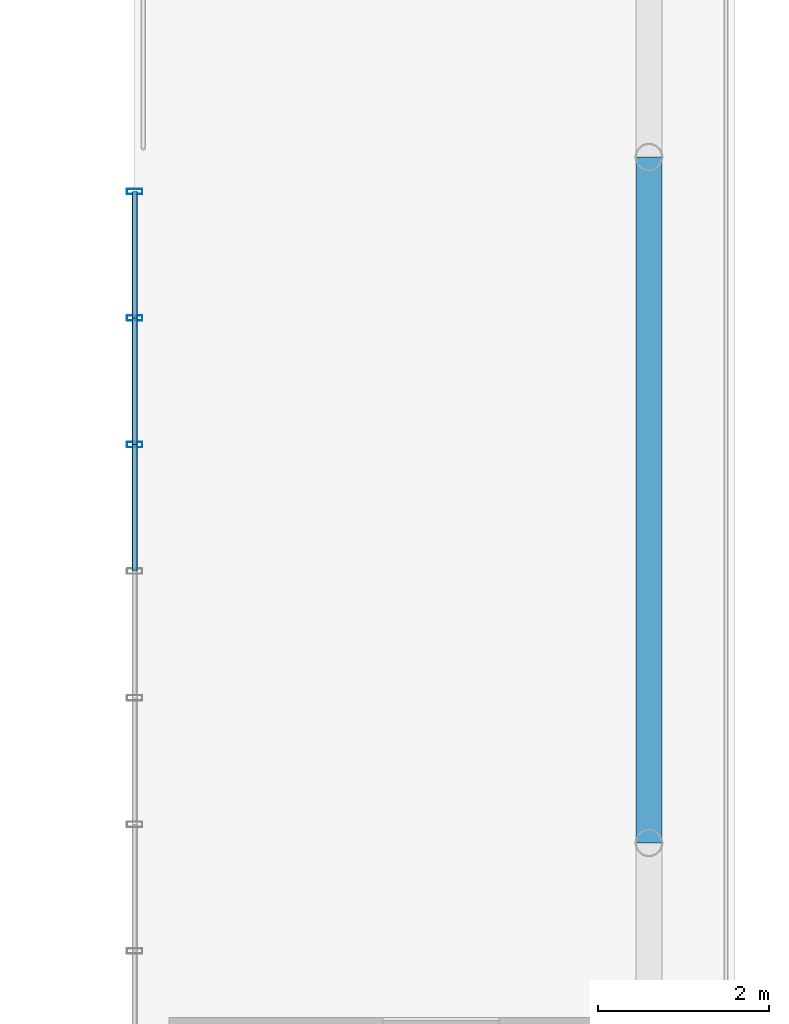
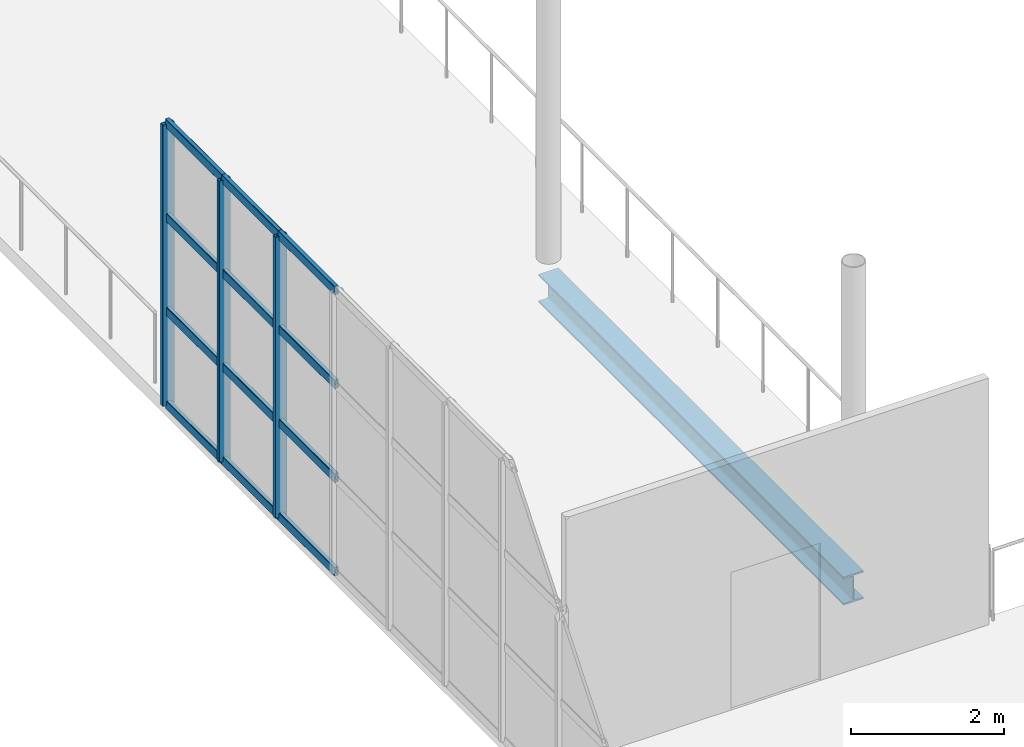
# One storey, part 69 of 143: 15 members, 1 beam, 1 element without a shape of its own.
"""IFC4 building model written with IfcOpenShell, lengths in metres."""

from ifc_helpers import new_model, si_unit, derived_unit, direction, frame, origin, origin_2d, place, context, subcontext, project, spatial, hollow_rectangle, i_section, extrude, material, material_profile, profile_set, type_object, element, aggregate, save


model = new_model("IFC4")

# Units and contexts
model_context = context("Model", 3, precision=1e-05, world=origin(), true_north=direction((0.0, 1.0)))
body_context = subcontext(model_context, "Body", "Model", "MODEL_VIEW")
ifc_project = project(units=[si_unit("LENGTHUNIT", "METRE"), si_unit("AREAUNIT", "SQUARE_METRE"), si_unit("VOLUMEUNIT", "CUBIC_METRE"), si_unit("PLANEANGLEUNIT", "RADIAN"), si_unit("MASSUNIT", "GRAM", prefix="KILO"), derived_unit("THERMALTRANSMITTANCEUNIT", [(si_unit("POWERUNIT", "WATT"), 1), (si_unit("LENGTHUNIT", "METRE"), -2), (si_unit("THERMODYNAMICTEMPERATUREUNIT", "KELVIN"), -1)])], contexts=[model_context])

# Site, building, storey
site_placement = place(None, origin())
site = spatial("IfcSite", under=ifc_project, at=site_placement, CompositionType="ELEMENT")
building_placement = place(site_placement, origin())
building = spatial("IfcBuilding", under=site, at=building_placement, Name="Keldorne Ridge Multi-Sports Centre", CompositionType="ELEMENT")
storey_placement = place(building_placement, frame((0.0, 0.0, 4.800048828125)))
storey = spatial("IfcBuildingStorey", under=building, at=storey_placement, Name="L01", CompositionType="ELEMENT", Elevation=4.800048828125)

# Beam
ifc_material_1 = material(Name="Steel S355", Category="steel")
ifc_material_profile_1 = material_profile(ifc_material_1, i_section(OverallWidth=0.300048828125, OverallDepth=0.449951171875, WebThickness=0.013916015625, FlangeThickness=0.02587890625, FilletRadius=0.027099609375, at=origin_2d()), Name="HEB 450")
ifc_profile_set_1 = profile_set([ifc_material_profile_1], Name="Steel S355")
beam_type = type_object("IfcBeamType", Name="BM-B-11", PredefinedType="BEAM", material=ifc_profile_set_1)
beam_placement = place(storey_placement, frame((84.0, 66.0, -0.445068359375), z_axis=(0.0, 1.0, 0.0), x_axis=(-1.0, 0.0, 0.0)))
element("IfcBeam", 1, at=beam_placement, inside=storey, type_object=beam_type, Name="L01 passage girder G12.8", PredefinedType="BEAM", context=body_context, shape_type="SweptSolid", body=[
    extrude(i_section(OverallWidth=0.300048828125, OverallDepth=0.449951171875, WebThickness=0.013916015625, FlangeThickness=0.02587890625, FilletRadius=0.027099609375, at=origin_2d()), origin(), (0.0, 0.0, 1.0), 8.0),
])

# Curtain wall, members
ifc_material_2 = material(Name="Anodized aluminium", Category="aluminium")
curtain_wall_type = type_object("IfcCurtainWallType", Name="CW-CW-04", PredefinedType="NOTDEFINED", material=ifc_material_2)
curtain_wall_placement = place(storey_placement, origin())
curtain_wall = element("IfcCurtainWall", 2, at=curtain_wall_placement, inside=storey, type_object=curtain_wall_type, Name="Passage west courtyard curtain wall L01 084", PredefinedType="NOTDEFINED")
ifc_material_profile_2 = material_profile(ifc_material_2, hollow_rectangle(XDim=0.06494140625, YDim=0.179931640625, WallThickness=0.00439453125, InnerFilletRadius=0.00439453125, OuterFilletRadius=0.009033203125, at=origin_2d()), Name="ALU MULLION 180x65x4.5")
ifc_profile_set_2 = profile_set([ifc_material_profile_2], Name="Anodized aluminium")
member_type_1 = type_object("IfcMemberType", Name="MEM-ML-01", PredefinedType="MULLION", material=ifc_profile_set_2)
member_1_placement = place(storey_placement, frame((78.0, 73.60009765625, 0.0), z_axis=(0.0, 0.0, 1.0), x_axis=(0.0, 1.0, 0.0)))
member_1 = element("IfcMember", 3, at=member_1_placement, type_object=member_type_1, Name="CW-084 vertical mullion 1", PredefinedType="MULLION", context=body_context, shape_type="SweptSolid", body=[
    extrude(hollow_rectangle(XDim=0.06494140625, YDim=0.179931640625, WallThickness=0.00439453125, InnerFilletRadius=0.00439453125, OuterFilletRadius=0.009033203125, at=origin_2d()), origin(), (0.0, 0.0, 1.0), 4.5),
])
member_2_placement = place(storey_placement, frame((78.0, 72.123046875, 0.0), z_axis=(0.0, 0.0, 1.0), x_axis=(0.0, 1.0, 0.0)))
member_2 = element("IfcMember", 4, at=member_2_placement, type_object=member_type_1, Name="CW-084 vertical mullion 2", PredefinedType="MULLION", context=body_context, shape_type="SweptSolid", body=[
    extrude(hollow_rectangle(XDim=0.06494140625, YDim=0.179931640625, WallThickness=0.00439453125, InnerFilletRadius=0.00439453125, OuterFilletRadius=0.009033203125, at=origin_2d()), origin(), (0.0, 0.0, 1.0), 4.5),
])
member_3_placement = place(storey_placement, frame((78.0, 70.646240234375, 0.0), z_axis=(0.0, 0.0, 1.0), x_axis=(0.0, 1.0, 0.0)))
member_3 = element("IfcMember", 5, at=member_3_placement, type_object=member_type_1, Name="CW-084 vertical mullion 3", PredefinedType="MULLION", context=body_context, shape_type="SweptSolid", body=[
    extrude(hollow_rectangle(XDim=0.06494140625, YDim=0.179931640625, WallThickness=0.00439453125, InnerFilletRadius=0.00439453125, OuterFilletRadius=0.009033203125, at=origin_2d()), origin(), (0.0, 0.0, 1.0), 4.5),
])
ifc_material_profile_3 = material_profile(ifc_material_2, hollow_rectangle(XDim=0.06494140625, YDim=0.139892578125, WallThickness=0.00439453125, InnerFilletRadius=0.00439453125, OuterFilletRadius=0.009033203125, at=origin_2d()), Name="ALU TRANSOM 140x65x4.5")
ifc_profile_set_3 = profile_set([ifc_material_profile_3], Name="Anodized aluminium")
member_type_2 = type_object("IfcMemberType", Name="MEM-TR-01", PredefinedType="USERDEFINED", material=ifc_profile_set_3)
member_4_placement = place(storey_placement, frame((78.0, 73.60009765625, 0.0), z_axis=(0.0, -1.0, 0.0), x_axis=(1.0, 0.0, 0.0)))
member_4 = element("IfcMember", 6, at=member_4_placement, type_object=member_type_2, Name="CW-084 transom 1.1", ObjectType="TRANSOM", PredefinedType="USERDEFINED", context=body_context, shape_type="SweptSolid", body=[
    extrude(hollow_rectangle(XDim=0.06494140625, YDim=0.139892578125, WallThickness=0.00439453125, InnerFilletRadius=0.00439453125, OuterFilletRadius=0.009033203125, at=origin_2d()), origin(), (0.0, 0.0, 1.0), 1.47705078125),
])
member_5_placement = place(storey_placement, frame((78.0, 73.60009765625, 1.5), z_axis=(0.0, -1.0, 0.0), x_axis=(1.0, 0.0, 0.0)))
member_5 = element("IfcMember", 7, at=member_5_placement, type_object=member_type_2, Name="CW-084 transom 1.2", ObjectType="TRANSOM", PredefinedType="USERDEFINED", context=body_context, shape_type="SweptSolid", body=[
    extrude(hollow_rectangle(XDim=0.06494140625, YDim=0.139892578125, WallThickness=0.00439453125, InnerFilletRadius=0.00439453125, OuterFilletRadius=0.009033203125, at=origin_2d()), origin(), (0.0, 0.0, 1.0), 1.47705078125),
])
member_6_placement = place(storey_placement, frame((78.0, 73.60009765625, 3.0), z_axis=(0.0, -1.0, 0.0), x_axis=(1.0, 0.0, 0.0)))
member_6 = element("IfcMember", 8, at=member_6_placement, type_object=member_type_2, Name="CW-084 transom 1.3", ObjectType="TRANSOM", PredefinedType="USERDEFINED", context=body_context, shape_type="SweptSolid", body=[
    extrude(hollow_rectangle(XDim=0.06494140625, YDim=0.139892578125, WallThickness=0.00439453125, InnerFilletRadius=0.00439453125, OuterFilletRadius=0.009033203125, at=origin_2d()), origin(), (0.0, 0.0, 1.0), 1.47705078125),
])
member_7_placement = place(storey_placement, frame((78.0, 73.60009765625, 4.5), z_axis=(0.0, -1.0, 0.0), x_axis=(1.0, 0.0, 0.0)))
member_7 = element("IfcMember", 9, at=member_7_placement, type_object=member_type_2, Name="CW-084 transom 1.4", ObjectType="TRANSOM", PredefinedType="USERDEFINED", context=body_context, shape_type="SweptSolid", body=[
    extrude(hollow_rectangle(XDim=0.06494140625, YDim=0.139892578125, WallThickness=0.00439453125, InnerFilletRadius=0.00439453125, OuterFilletRadius=0.009033203125, at=origin_2d()), origin(), (0.0, 0.0, 1.0), 1.47705078125),
])
member_8_placement = place(storey_placement, frame((78.0, 72.123046875, 0.0), z_axis=(0.0, -1.0, 0.0), x_axis=(1.0, 0.0, 0.0)))
member_8 = element("IfcMember", 10, at=member_8_placement, type_object=member_type_2, Name="CW-084 transom 2.1", ObjectType="TRANSOM", PredefinedType="USERDEFINED", context=body_context, shape_type="SweptSolid", body=[
    extrude(hollow_rectangle(XDim=0.06494140625, YDim=0.139892578125, WallThickness=0.00439453125, InnerFilletRadius=0.00439453125, OuterFilletRadius=0.009033203125, at=origin_2d()), origin(), (0.0, 0.0, 1.0), 1.476806640625),
])
member_9_placement = place(storey_placement, frame((78.0, 72.123046875, 1.5), z_axis=(0.0, -1.0, 0.0), x_axis=(1.0, 0.0, 0.0)))
member_9 = element("IfcMember", 11, at=member_9_placement, type_object=member_type_2, Name="CW-084 transom 2.2", ObjectType="TRANSOM", PredefinedType="USERDEFINED", context=body_context, shape_type="SweptSolid", body=[
    extrude(hollow_rectangle(XDim=0.06494140625, YDim=0.139892578125, WallThickness=0.00439453125, InnerFilletRadius=0.00439453125, OuterFilletRadius=0.009033203125, at=origin_2d()), origin(), (0.0, 0.0, 1.0), 1.476806640625),
])
member_10_placement = place(storey_placement, frame((78.0, 72.123046875, 3.0), z_axis=(0.0, -1.0, 0.0), x_axis=(1.0, 0.0, 0.0)))
member_10 = element("IfcMember", 12, at=member_10_placement, type_object=member_type_2, Name="CW-084 transom 2.3", ObjectType="TRANSOM", PredefinedType="USERDEFINED", context=body_context, shape_type="SweptSolid", body=[
    extrude(hollow_rectangle(XDim=0.06494140625, YDim=0.139892578125, WallThickness=0.00439453125, InnerFilletRadius=0.00439453125, OuterFilletRadius=0.009033203125, at=origin_2d()), origin(), (0.0, 0.0, 1.0), 1.476806640625),
])
member_11_placement = place(storey_placement, frame((78.0, 72.123046875, 4.5), z_axis=(0.0, -1.0, 0.0), x_axis=(1.0, 0.0, 0.0)))
member_11 = element("IfcMember", 13, at=member_11_placement, type_object=member_type_2, Name="CW-084 transom 2.4", ObjectType="TRANSOM", PredefinedType="USERDEFINED", context=body_context, shape_type="SweptSolid", body=[
    extrude(hollow_rectangle(XDim=0.06494140625, YDim=0.139892578125, WallThickness=0.00439453125, InnerFilletRadius=0.00439453125, OuterFilletRadius=0.009033203125, at=origin_2d()), origin(), (0.0, 0.0, 1.0), 1.476806640625),
])
member_12_placement = place(storey_placement, frame((78.0, 70.646240234375, 0.0), z_axis=(0.0, -1.0, 0.0), x_axis=(1.0, 0.0, 0.0)))
member_12 = element("IfcMember", 14, at=member_12_placement, type_object=member_type_2, Name="CW-084 transom 3.1", ObjectType="TRANSOM", PredefinedType="USERDEFINED", context=body_context, shape_type="SweptSolid", body=[
    extrude(hollow_rectangle(XDim=0.06494140625, YDim=0.139892578125, WallThickness=0.00439453125, InnerFilletRadius=0.00439453125, OuterFilletRadius=0.009033203125, at=origin_2d()), origin(), (0.0, 0.0, 1.0), 1.47705078125),
])
member_13_placement = place(storey_placement, frame((78.0, 70.646240234375, 1.5), z_axis=(0.0, -1.0, 0.0), x_axis=(1.0, 0.0, 0.0)))
member_13 = element("IfcMember", 15, at=member_13_placement, type_object=member_type_2, Name="CW-084 transom 3.2", ObjectType="TRANSOM", PredefinedType="USERDEFINED", context=body_context, shape_type="SweptSolid", body=[
    extrude(hollow_rectangle(XDim=0.06494140625, YDim=0.139892578125, WallThickness=0.00439453125, InnerFilletRadius=0.00439453125, OuterFilletRadius=0.009033203125, at=origin_2d()), origin(), (0.0, 0.0, 1.0), 1.47705078125),
])
member_14_placement = place(storey_placement, frame((78.0, 70.646240234375, 3.0), z_axis=(0.0, -1.0, 0.0), x_axis=(1.0, 0.0, 0.0)))
member_14 = element("IfcMember", 16, at=member_14_placement, type_object=member_type_2, Name="CW-084 transom 3.3", ObjectType="TRANSOM", PredefinedType="USERDEFINED", context=body_context, shape_type="SweptSolid", body=[
    extrude(hollow_rectangle(XDim=0.06494140625, YDim=0.139892578125, WallThickness=0.00439453125, InnerFilletRadius=0.00439453125, OuterFilletRadius=0.009033203125, at=origin_2d()), origin(), (0.0, 0.0, 1.0), 1.47705078125),
])
member_15_placement = place(storey_placement, frame((78.0, 70.646240234375, 4.5), z_axis=(0.0, -1.0, 0.0), x_axis=(1.0, 0.0, 0.0)))
member_15 = element("IfcMember", 17, at=member_15_placement, type_object=member_type_2, Name="CW-084 transom 3.4", ObjectType="TRANSOM", PredefinedType="USERDEFINED", context=body_context, shape_type="SweptSolid", body=[
    extrude(hollow_rectangle(XDim=0.06494140625, YDim=0.139892578125, WallThickness=0.00439453125, InnerFilletRadius=0.00439453125, OuterFilletRadius=0.009033203125, at=origin_2d()), origin(), (0.0, 0.0, 1.0), 1.47705078125),
])
aggregate(curtain_wall, [member_1, member_2, member_3, member_4, member_5, member_6, member_7, member_8, member_9, member_10, member_11, member_12, member_13, member_14, member_15])

save(model, "model.ifc")
